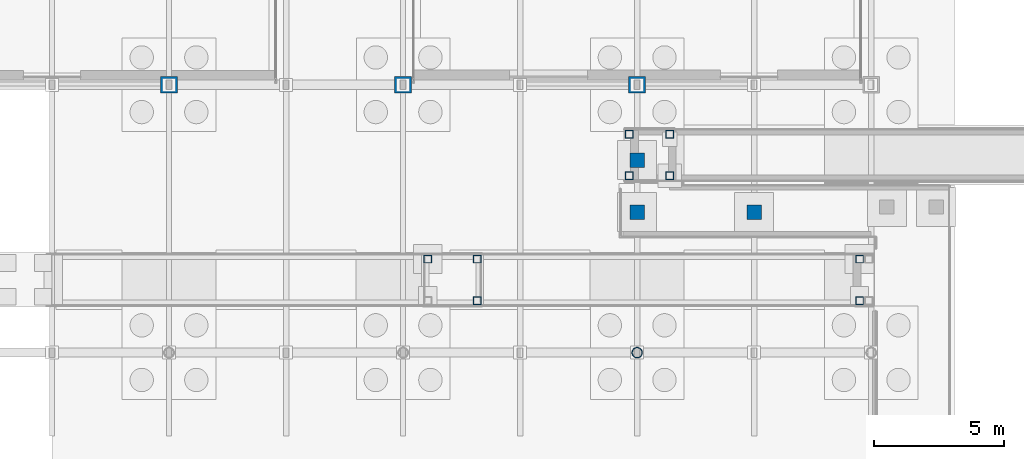
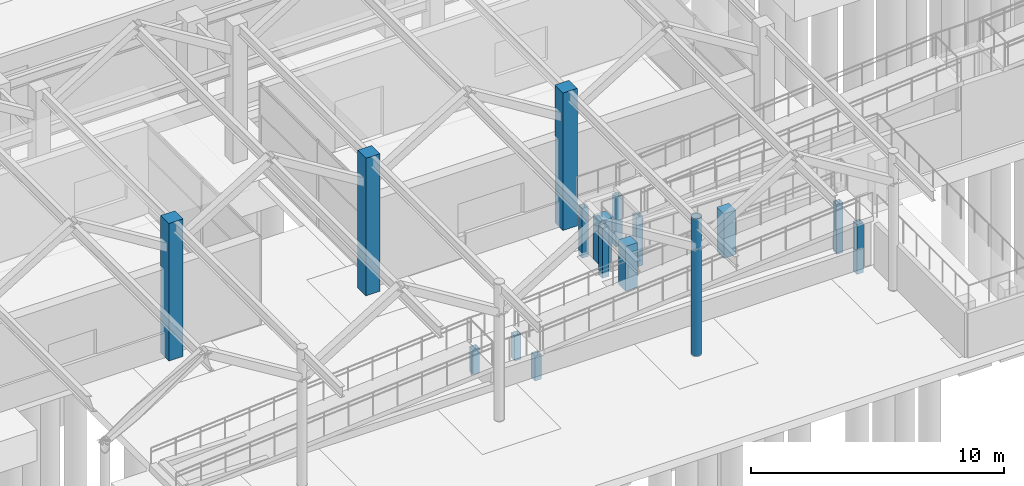
# One storey, part 11 of 160: 16 columns.
"""IFC4 building model written with IfcOpenShell, lengths in metres."""

from ifc_helpers import new_model, si_unit, direction, frame, origin, origin_2d, place, context, subcontext, project, spatial, rectangle, hollow_rectangle, hollow_circle, extrude, material, material_profile, profile_set, type_object, element, save


model = new_model("IFC4")

# Units and contexts
model_context = context("Model", 3, precision=1e-05, world=origin(), true_north=direction((0.0, 1.0)))
body_context = subcontext(model_context, "Body", "Model", "MODEL_VIEW")
ifc_project = project(units=[si_unit("LENGTHUNIT", "METRE"), si_unit("AREAUNIT", "SQUARE_METRE"), si_unit("VOLUMEUNIT", "CUBIC_METRE"), si_unit("PLANEANGLEUNIT", "RADIAN"), si_unit("MASSUNIT", "GRAM", prefix="KILO")], contexts=[model_context])

# Site, building, storey
site_placement = place(None, origin())
site = spatial("IfcSite", under=ifc_project, at=site_placement, CompositionType="ELEMENT")
building_placement = place(site_placement, origin())
building = spatial("IfcBuilding", under=site, at=building_placement, Name="Marlcrest Central Station", CompositionType="ELEMENT")
storey_placement = place(building_placement, origin())
storey = spatial("IfcBuildingStorey", under=building, at=storey_placement, Name="L00", CompositionType="ELEMENT", Elevation=0.0)

# Columns
ifc_material_1 = material(Name="Concrete C40/50", Category="concrete")
ifc_material_profile_1 = material_profile(ifc_material_1, rectangle(XDim=0.550048828125, YDim=0.550048828125, at=origin_2d()), Name="RC 550x550")
ifc_profile_set_1 = profile_set([ifc_material_profile_1], Name="Concrete C40/50")
column_type_1 = type_object("IfcColumnType", Name="RC-03", PredefinedType="COLUMN", material=ifc_profile_set_1)
for number, where, z_axis, x_axis, name in (
    (1, (58.5, 17.60009765625, 0.0), (0.0, 0.0, 1.0), (1.0, 0.0, 0.0), "col-RC-03-L00-0400"),
    (2, (54.0, 17.60009765625, 0.0), (0.0, 0.0, 1.0), (1.0, 0.0, 0.0), "col-RC-03-L00-0401"),
    (3, (54.0, 19.60009765625, 0.0), (0.0, 0.0, 1.0), (1.0, 0.0, 0.0), "col-RC-03-L00-0402"),
):
    element("IfcColumn", number, at=place(storey_placement, frame(where, z_axis=z_axis, x_axis=x_axis)), inside=storey, type_object=column_type_1, Name=name, PredefinedType="COLUMN", context=body_context, shape_type="SweptSolid", body=[
        extrude(rectangle(XDim=0.550048828125, YDim=0.550048828125, at=origin_2d()), origin(), (0.0, 0.0, 1.0), 2.14990234375),
    ])
ifc_material_2 = material(Name="Concrete C50/60", Category="concrete")
ifc_material_profile_2 = material_profile(ifc_material_2, rectangle(XDim=0.64990234375, YDim=0.64990234375, at=origin_2d()), Name="RC 650x650")
ifc_profile_set_2 = profile_set([ifc_material_profile_2], Name="Concrete C50/60")
column_type_2 = type_object("IfcColumnType", Name="RC-05", PredefinedType="COLUMN", material=ifc_profile_set_2)
for number, where, z_axis, x_axis, name in (
    (4, (36.0, 22.5, 0.0), (0.0, 0.0, 1.0), (1.0, 0.0, 0.0), "col-RC-05-L00-0374"),
    (5, (45.0, 22.5, 0.0), (0.0, 0.0, 1.0), (1.0, 0.0, 0.0), "col-RC-05-L00-0377"),
    (6, (54.0, 22.5, 0.0), (0.0, 0.0, 1.0), (1.0, 0.0, 0.0), "col-RC-05-L00-0380"),
):
    element("IfcColumn", number, at=place(storey_placement, frame(where, z_axis=z_axis, x_axis=x_axis)), inside=storey, type_object=column_type_2, Name=name, PredefinedType="COLUMN", context=body_context, shape_type="SweptSolid", body=[
        extrude(rectangle(XDim=0.64990234375, YDim=0.64990234375, at=origin_2d()), origin(), (0.0, 0.0, 1.0), 6.639892578125),
    ])
ifc_material_3 = material(Name="Steel S355", Category="steel")
ifc_material_profile_3 = material_profile(ifc_material_3, hollow_circle(Radius=0.203125, WallThickness=0.02001953125, at=origin_2d()), Name="CHS 406.4x20")
ifc_profile_set_3 = profile_set([ifc_material_profile_3], Name="Steel S355")
column_type_3 = type_object("IfcColumnType", Name="SC-10", PredefinedType="COLUMN", material=ifc_profile_set_3)
column_placement = place(storey_placement, frame((54.0, 12.199951171875, 0.0), z_axis=(0.0, 0.0, 1.0), x_axis=(1.0, 0.0, 0.0)))
element("IfcColumn", 7, at=column_placement, inside=storey, type_object=column_type_3, Name="col-SC-10-L00-0382", PredefinedType="COLUMN", context=body_context, shape_type="SweptSolid", body=[
    extrude(hollow_circle(Radius=0.203125, WallThickness=0.02001953125, at=origin_2d()), origin(), (0.0, 0.0, 1.0), 6.639892578125),
])
ifc_material_profile_4 = material_profile(ifc_material_3, hollow_rectangle(XDim=0.300048828125, YDim=0.300048828125, WallThickness=0.01611328125, at=origin_2d()), Name="SHS 300x300x16")
ifc_profile_set_4 = profile_set([ifc_material_profile_4], Name="Steel S355")
column_type_4 = type_object("IfcColumnType", Name="SC-19", PredefinedType="COLUMN", material=ifc_profile_set_4)
for number, where, z_axis, x_axis, name in (
    (8, (45.949951171875, 15.800048828125, -0.25), (0.0, 0.0, 1.0), (1.0, 0.0, 0.0), "ramp-01-ldcol-2-459-158"),
    (9, (47.85009765625, 14.199951171875, -0.25), (0.0, 0.0, 1.0), (1.0, 0.0, 0.0), "ramp-01-ldcol-2-478-142"),
    (10, (47.85009765625, 15.800048828125, -0.25), (0.0, 0.0, 1.0), (1.0, 0.0, 0.0), "ramp-01-ldcol-2-478-158"),
):
    element("IfcColumn", number, at=place(storey_placement, frame(where, z_axis=z_axis, x_axis=x_axis)), inside=storey, type_object=column_type_4, Name=name, PredefinedType="COLUMN", context=body_context, shape_type="SweptSolid", body=[
        extrude(hollow_rectangle(XDim=0.300048828125, YDim=0.300048828125, WallThickness=0.01611328125, at=origin_2d()), origin(), (0.0, 0.0, 1.0), 1.199951171875),
    ])
for number, where, z_axis, x_axis, name in (
    (11, (62.550048828125, 14.199951171875, -0.25), (0.0, 0.0, 1.0), (1.0, 0.0, 0.0), "ramp-01-ldcol-3-625-142"),
    (12, (62.550048828125, 15.800048828125, -0.25), (0.0, 0.0, 1.0), (1.0, 0.0, 0.0), "ramp-01-ldcol-3-625-158"),
    (13, (53.699951171875, 19.0, -0.25), (0.0, 0.0, 1.0), (1.0, 0.0, 0.0), "ramp-02-ldcol-1-537-190"),
    (14, (53.699951171875, 20.60009765625, -0.25), (0.0, 0.0, 1.0), (1.0, 0.0, 0.0), "ramp-02-ldcol-1-537-206"),
    (15, (55.25, 19.0, -0.25), (0.0, 0.0, 1.0), (1.0, 0.0, 0.0), "ramp-02-ldcol-1-552-190"),
    (16, (55.25, 20.60009765625, -0.25), (0.0, 0.0, 1.0), (1.0, 0.0, 0.0), "ramp-02-ldcol-1-552-206"),
):
    element("IfcColumn", number, at=place(storey_placement, frame(where, z_axis=z_axis, x_axis=x_axis)), inside=storey, type_object=column_type_4, Name=name, PredefinedType="COLUMN", context=body_context, shape_type="SweptSolid", body=[
        extrude(hollow_rectangle(XDim=0.300048828125, YDim=0.300048828125, WallThickness=0.01611328125, at=origin_2d()), origin(), (0.0, 0.0, 1.0), 2.39990234375),
    ])

save(model, "model.ifc")
